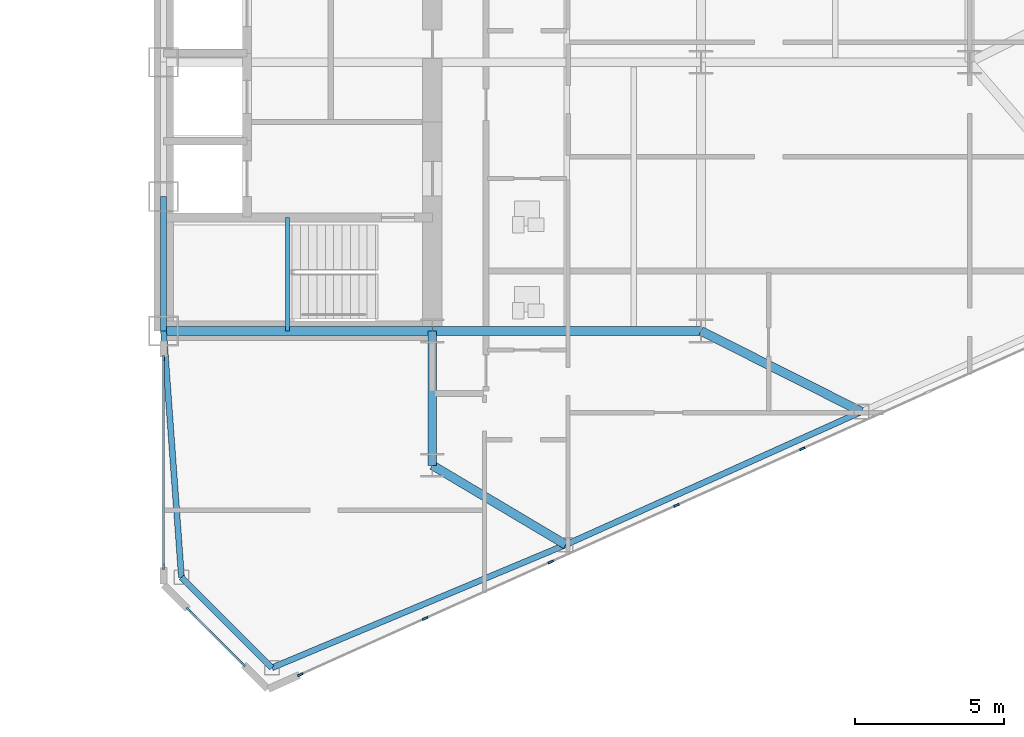
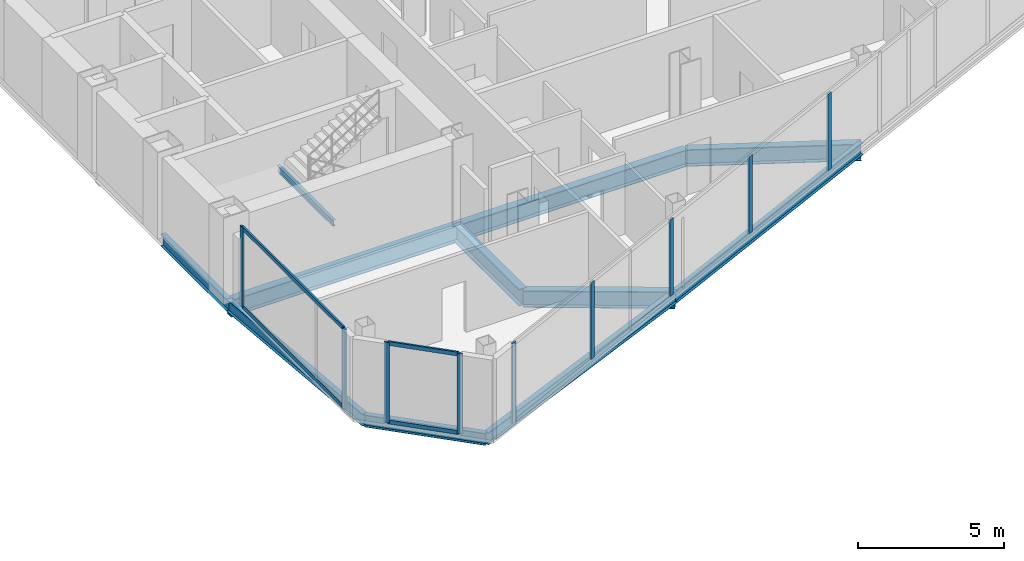
# One storey, part 10 of 27: 13 members, 11 beams, 3 elements without a shape of their own.
"""IFC4 building model written with IfcOpenShell, lengths in metres."""

from ifc_helpers import new_model, si_unit, direction, frame, origin, origin_2d, place, context, subcontext, project, spatial, rectangle, i_section, extrude, source, transform, mapped, material, layer, layer_set, material_profile, profile_set, type_object, type_shapes, element, aggregate, save


model = new_model("IFC4")

# Units and contexts
model_context = context("Model", 3, precision=1e-05, world=origin(), true_north=direction((0.0, 1.0)))
body_context = subcontext(model_context, "Body", "Model", "MODEL_VIEW")
ifc_project = project(units=[si_unit("LENGTHUNIT", "METRE"), si_unit("AREAUNIT", "SQUARE_METRE"), si_unit("VOLUMEUNIT", "CUBIC_METRE"), si_unit("PLANEANGLEUNIT", "RADIAN"), si_unit("MASSUNIT", "GRAM", prefix="KILO")], contexts=[model_context])

# Site, building, storey
site_placement = place(None, origin())
site = spatial("IfcSite", under=ifc_project, at=site_placement, CompositionType="ELEMENT")
building_placement = place(site_placement, origin())
building = spatial("IfcBuilding", under=site, at=building_placement, Name="Seokmaru Belvedere", CompositionType="ELEMENT")
storey_placement = place(building_placement, frame((0.0, 0.0, 83.699951171875)))
storey = spatial("IfcBuildingStorey", under=building, at=storey_placement, Name="L22", CompositionType="ELEMENT", Elevation=83.699951171875)

# Beams
ifc_material_1 = material(Name="Steel SM355 (355 MPa)", Category="steel")
ifc_material_profile_1 = material_profile(ifc_material_1, i_section(OverallWidth=0.199951171875, OverallDepth=0.5, WebThickness=0.010009765625, FlangeThickness=0.01611328125, at=origin_2d()), Name="H-500x200x10x16")
ifc_profile_set_1 = profile_set([ifc_material_profile_1], Name="Steel SM355 (355 MPa)")
beam_type_1 = type_object("IfcBeamType", Name="Perimeter Spandrel Beam H-500", PredefinedType="SPANDREL", material=ifc_profile_set_1)
shared_shape_1 = source(origin(), body_context, "Body", "SweptSolid", [
    extrude(i_section(OverallWidth=0.199951171875, OverallDepth=0.5, WebThickness=0.010009765625, FlangeThickness=0.01611328125, at=origin_2d()), origin(), (0.0, 0.0, 1.0), 4.5),
])
beam_1_placement = place(storey_placement, frame((27.5, -13.5, -0.469970703125), z_axis=(0.0, 1.0, 0.0), x_axis=(-1.0, 0.0, 0.0)))
element("IfcBeam", 1, at=beam_1_placement, inside=storey, type_object=beam_type_1, Name="L22 E Portal Spine Spandrel 1", PredefinedType="SPANDREL", context=body_context, shape_type="MappedRepresentation", body=[
    mapped(shared_shape_1, transform((0.0, 0.0, 0.0), scale=1.0)),
])
ifc_material_profile_2 = material_profile(ifc_material_1, i_section(OverallWidth=0.300048828125, OverallDepth=0.699951171875, WebThickness=0.012939453125, FlangeThickness=0.02392578125, at=origin_2d()), Name="H-700x300x13x24")
ifc_profile_set_2 = profile_set([ifc_material_profile_2], Name="Steel SM355 (355 MPa)")
beam_type_2 = type_object("IfcBeamType", Name="Primary Floor Girder H-700", PredefinedType="BEAM", material=ifc_profile_set_2)
shared_shape_2 = source(origin(), body_context, "Body", "SweptSolid", [
    extrude(i_section(OverallWidth=0.300048828125, OverallDepth=0.699951171875, WebThickness=0.012939453125, FlangeThickness=0.02392578125, at=origin_2d()), origin(), (0.0, 0.0, 1.0), 4.5),
])
beam_2_placement = place(storey_placement, frame((36.5, -18.0, -0.570068359375), z_axis=(0.0, 1.0, 0.0), x_axis=(-1.0, 0.0, 0.0)))
element("IfcBeam", 2, at=beam_2_placement, inside=storey, type_object=beam_type_2, Name="L22 E Core Shoulder Girder S", PredefinedType="BEAM", context=body_context, shape_type="MappedRepresentation", body=[
    mapped(shared_shape_2, transform((0.0, 0.0, 0.0), scale=1.0)),
])
shared_shape_3 = source(origin(), body_context, "Body", "SweptSolid", [
    extrude(i_section(OverallWidth=0.300048828125, OverallDepth=0.699951171875, WebThickness=0.012939453125, FlangeThickness=0.02392578125, at=origin_2d()), origin(), (0.0, 0.0, 1.0), 9.0),
])
for number, where, z_axis, x_axis, name in (
    (3, (27.5, -13.5, -0.570068359375), (1.0, 0.0, 0.0), (0.0, 1.0, 0.0), "L22 E Core Tie Girder 1"),
    (4, (36.5, -13.5, -0.570068359375), (1.0, 0.0, 0.0), (0.0, 1.0, 0.0), "L22 E Wing Primary Girder 1"),
):
    element("IfcBeam", number, at=place(storey_placement, frame(where, z_axis=z_axis, x_axis=x_axis)), inside=storey, type_object=beam_type_2, Name=name, PredefinedType="BEAM", context=body_context, shape_type="MappedRepresentation", body=[
        mapped(shared_shape_3, transform((0.0, 0.0, 0.0), scale=1.0)),
    ])
shared_shape_4 = source(origin(), body_context, "Body", "SweptSolid", [
    extrude(i_section(OverallWidth=0.199951171875, OverallDepth=0.5, WebThickness=0.010009765625, FlangeThickness=0.01611328125, at=origin_2d()), origin(), (0.0, 0.0, 1.0), 10.66943359375),
])
beam_3_placement = place(storey_placement, frame((31.13134765625, -24.782958984375, -0.469970703125), z_axis=(0.922375393128, 0.386294750355, 0.0), x_axis=(-0.386294750355, 0.922375393128, 0.0)))
element("IfcBeam", 5, at=beam_3_placement, inside=storey, type_object=beam_type_1, Name="L22 E Faceted Flank Spandrel S-1", PredefinedType="SPANDREL", context=body_context, shape_type="MappedRepresentation", body=[
    mapped(shared_shape_4, transform((0.0, 0.0, 0.0), scale=1.0)),
])
shared_shape_5 = source(origin(), body_context, "Body", "SweptSolid", [
    extrude(i_section(OverallWidth=0.199951171875, OverallDepth=0.5, WebThickness=0.010009765625, FlangeThickness=0.01611328125, at=origin_2d()), origin(), (0.0, 0.0, 1.0), 10.85888671875),
])
beam_4_placement = place(storey_placement, frame((40.97265625, -20.661376953125, -0.469970703125), z_axis=(0.911921505175, 0.410364677329, 0.0), x_axis=(-0.410364677329, 0.911921505175, 0.0)))
element("IfcBeam", 6, at=beam_4_placement, inside=storey, type_object=beam_type_1, Name="L22 E Faceted Flank Spandrel S-2", PredefinedType="SPANDREL", context=body_context, shape_type="MappedRepresentation", body=[
    mapped(shared_shape_5, transform((0.0, 0.0, 0.0), scale=1.0)),
])
shared_shape_6 = source(origin(), body_context, "Body", "SweptSolid", [
    extrude(i_section(OverallWidth=0.199951171875, OverallDepth=0.5, WebThickness=0.010009765625, FlangeThickness=0.01611328125, at=origin_2d()), origin(), (0.0, 0.0, 1.0), 4.287109375),
])
beam_5_placement = place(storey_placement, frame((31.13134765625, -24.782958984375, -0.469970703125), z_axis=(-0.707078306132, 0.707135255094, 0.0), x_axis=(-0.707135255094, -0.707078306132, 0.0)))
element("IfcBeam", 7, at=beam_5_placement, inside=storey, type_object=beam_type_1, Name="L22 E Shoulder Chamfer Spandrel S", PredefinedType="SPANDREL", context=body_context, shape_type="MappedRepresentation", body=[
    mapped(shared_shape_6, transform((0.0, 0.0, 0.0), scale=1.0)),
])
shared_shape_7 = source(origin(), body_context, "Body", "SweptSolid", [
    extrude(i_section(OverallWidth=0.199951171875, OverallDepth=0.5, WebThickness=0.010009765625, FlangeThickness=0.01611328125, at=origin_2d()), origin(), (0.0, 0.0, 1.0), 8.273193359375),
])
type_shapes(beam_type_1, [shared_shape_1, shared_shape_4, shared_shape_5, shared_shape_6, shared_shape_7])
beam_6_placement = place(storey_placement, frame((28.10009765625, -21.75146484375, -0.469970703125), z_axis=(-0.072534628348, 0.99736589459, 0.0), x_axis=(-0.99736589459, -0.072534628348, 0.0)))
element("IfcBeam", 8, at=beam_6_placement, inside=storey, type_object=beam_type_1, Name="L22 E Shoulder Spine Spandrel S", PredefinedType="SPANDREL", context=body_context, shape_type="MappedRepresentation", body=[
    mapped(shared_shape_7, transform((0.0, 0.0, 0.0), scale=1.0)),
])
shared_shape_8 = source(origin(), body_context, "Body", "SweptSolid", [
    extrude(i_section(OverallWidth=0.300048828125, OverallDepth=0.699951171875, WebThickness=0.012939453125, FlangeThickness=0.02392578125, at=origin_2d()), origin(), (0.0, 0.0, 1.0), 5.20458984375),
])
beam_7_placement = place(storey_placement, frame((40.97265625, -20.661376953125, -0.570068359375), z_axis=(-0.859370434188, 0.511353553662, 0.0), x_axis=(-0.511353553662, -0.859370434188, 0.0)))
element("IfcBeam", 9, at=beam_7_placement, inside=storey, type_object=beam_type_2, Name="L22 E Flank Radial Floor Girder S-1", PredefinedType="BEAM", context=body_context, shape_type="MappedRepresentation", body=[
    mapped(shared_shape_8, transform((0.0, 0.0, 0.0), scale=1.0)),
])
shared_shape_9 = source(origin(), body_context, "Body", "SweptSolid", [
    extrude(i_section(OverallWidth=0.300048828125, OverallDepth=0.699951171875, WebThickness=0.012939453125, FlangeThickness=0.02392578125, at=origin_2d()), origin(), (0.0, 0.0, 1.0), 6.017333984375),
])
type_shapes(beam_type_2, [shared_shape_2, shared_shape_3, shared_shape_8, shared_shape_9])
beam_8_placement = place(storey_placement, frame((50.875, -16.205322265625, -0.570068359375), z_axis=(-0.893239341975, 0.449581447512, 0.0), x_axis=(-0.449581447512, -0.893239341975, 0.0)))
element("IfcBeam", 10, at=beam_8_placement, inside=storey, type_object=beam_type_2, Name="L22 E Flank Radial Floor Girder S-2", PredefinedType="BEAM", context=body_context, shape_type="MappedRepresentation", body=[
    mapped(shared_shape_9, transform((0.0, 0.0, 0.0), scale=1.0)),
])

# Curtain wall, members
ifc_material_2 = material(Name="Bronze Triple Insulating Glass", Category="glass")
ifc_layer = layer(ifc_material_2, 0.195068359375)
ifc_layer_set = layer_set([ifc_layer], Name="Bronze Triple Insulating Glass")
curtain_wall_type = type_object("IfcCurtainWallType", Name="Lower-Mid Tapered Curtain Wall System CW-3", PredefinedType="NOTDEFINED", material=ifc_layer_set)
curtain_wall_1_placement = place(storey_placement, origin())
curtain_wall_1 = element("IfcCurtainWall", 11, at=curtain_wall_1_placement, inside=storey, type_object=curtain_wall_type, Name="L22 Curtain Wall ESP_1", PredefinedType="NOTDEFINED")
ifc_material_3 = material(Name="Anodised Bronze Aluminium", Category="aluminium")
ifc_material_profile_3 = material_profile(ifc_material_3, rectangle(XDim=0.070068359375, YDim=0.1650390625, at=origin_2d()), Name="CW-T-70x165")
ifc_profile_set_3 = profile_set([ifc_material_profile_3], Name="Anodised Bronze Aluminium")
member_type_1 = type_object("IfcMemberType", Name="Bronze Unitised Transom 70x165", PredefinedType="USERDEFINED", material=ifc_profile_set_3)
shared_shape_10 = source(origin(), body_context, "Body", "SweptSolid", [
    extrude(rectangle(XDim=0.070068359375, YDim=0.1650390625, at=origin_2d()), origin(), (0.0, 0.0, 1.0), 6.91015625),
])
member_1_placement = place(storey_placement, frame((27.5, -14.449951171875, 0.03515625), z_axis=(0.0, -1.0, 0.0), x_axis=(1.0, 0.0, 0.0)))
member_1 = element("IfcMember", 12, at=member_1_placement, type_object=member_type_1, Name="CW:L22:ESP_1 Continuous Transom 1", ObjectType="TRANSOM", PredefinedType="USERDEFINED", context=body_context, shape_type="MappedRepresentation", body=[
    mapped(shared_shape_10, transform((0.0, 0.0, 0.0), scale=1.0)),
])
member_2_placement = place(storey_placement, frame((27.5, -14.449951171875, 3.304931640625), z_axis=(0.0, -1.0, 0.0), x_axis=(1.0, 0.0, 0.0)))
member_2 = element("IfcMember", 13, at=member_2_placement, type_object=member_type_1, Name="CW:L22:ESP_1 Continuous Transom 2", ObjectType="TRANSOM", PredefinedType="USERDEFINED", context=body_context, shape_type="MappedRepresentation", body=[
    mapped(shared_shape_10, transform((0.0, 0.0, 0.0), scale=1.0)),
])

curtain_wall_2_placement = place(storey_placement, origin())
curtain_wall_2 = element("IfcCurtainWall", 14, at=curtain_wall_2_placement, inside=storey, type_object=curtain_wall_type, Name="L22 Curtain Wall EF6", PredefinedType="NOTDEFINED")
shared_shape_11 = source(origin(), body_context, "Body", "SweptSolid", [
    extrude(rectangle(XDim=0.070068359375, YDim=0.1650390625, at=origin_2d()), origin(), (0.0, 0.0, 1.0), 2.509521484375),
])
type_shapes(member_type_1, [shared_shape_10, shared_shape_11])
member_3_placement = place(storey_placement, frame((28.36279296875, -22.86279296875, 0.03515625), z_axis=(0.707106781187, -0.707106781187, 0.0), x_axis=(0.707106781187, 0.707106781187, 0.0)))
member_3 = element("IfcMember", 15, at=member_3_placement, type_object=member_type_1, Name="CW:L22:EF6 Continuous Transom 1", ObjectType="TRANSOM", PredefinedType="USERDEFINED", context=body_context, shape_type="MappedRepresentation", body=[
    mapped(shared_shape_11, transform((0.0, 0.0, 0.0), scale=1.0)),
])
member_4_placement = place(storey_placement, frame((28.36279296875, -22.86279296875, 3.304931640625), z_axis=(0.707106781187, -0.707106781187, 0.0), x_axis=(0.707106781187, 0.707106781187, 0.0)))
member_4 = element("IfcMember", 16, at=member_4_placement, type_object=member_type_1, Name="CW:L22:EF6 Continuous Transom 2", ObjectType="TRANSOM", PredefinedType="USERDEFINED", context=body_context, shape_type="MappedRepresentation", body=[
    mapped(shared_shape_11, transform((0.0, 0.0, 0.0), scale=1.0)),
])

# Curtain wall, member
curtain_wall_3_placement = place(storey_placement, origin())
curtain_wall_3 = element("IfcCurtainWall", 17, at=curtain_wall_3_placement, inside=storey, type_object=curtain_wall_type, Name="L22 Curtain Wall EF1", PredefinedType="NOTDEFINED")
ifc_material_profile_4 = material_profile(ifc_material_3, rectangle(XDim=0.070068359375, YDim=0.195068359375, at=origin_2d()), Name="CW-M-70x195")
ifc_profile_set_4 = profile_set([ifc_material_profile_4], Name="Anodised Bronze Aluminium")
member_type_2 = type_object("IfcMemberType", Name="Bronze Unitised Mullion 70x195", PredefinedType="MULLION", material=ifc_profile_set_4)
shared_shape_12 = source(origin(), body_context, "Body", "SweptSolid", [
    extrude(rectangle(XDim=0.070068359375, YDim=0.195068359375, at=origin_2d()), origin(), (0.0, 0.0, 1.0), 3.340087890625),
])
member_5_placement = place(storey_placement, frame((32.08056640625, -25.013671875, 0.0), z_axis=(0.0, 0.0, 1.0), x_axis=(-0.41036554765, 0.91192111353, 0.0)))
member_5 = element("IfcMember", 18, at=member_5_placement, type_object=member_type_2, Name="CW:L22:EF1 Mullion 1", PredefinedType="MULLION", context=body_context, shape_type="MappedRepresentation", body=[
    mapped(shared_shape_12, transform((0.0, 0.0, 0.0), scale=1.0)),
])

# Member
member_6_placement = place(storey_placement, frame((27.5, -14.4150390625, 0.0), z_axis=(0.0, 0.0, 1.0), x_axis=(1.0, 0.0, 0.0)))
member_6 = element("IfcMember", 19, at=member_6_placement, type_object=member_type_2, Name="CW:L22:ESP_1 Mullion 1", PredefinedType="MULLION", context=body_context, shape_type="MappedRepresentation", body=[
    mapped(shared_shape_12, transform((0.0, 0.0, 0.0), scale=1.0)),
])

member_7_placement = place(storey_placement, frame((27.5, -21.39501953125, 0.0), z_axis=(0.0, 0.0, 1.0), x_axis=(1.0, 0.0, 0.0)))
member_7 = element("IfcMember", 20, at=member_7_placement, type_object=member_type_2, Name="CW:L22:ESP_1 Mullion 2", PredefinedType="MULLION", context=body_context, shape_type="MappedRepresentation", body=[
    mapped(shared_shape_12, transform((0.0, 0.0, 0.0), scale=1.0)),
])

aggregate(curtain_wall_1, [member_6, member_7, member_1, member_2])

member_8_placement = place(storey_placement, frame((28.337890625, -22.837890625, 0.0), z_axis=(0.0, 0.0, 1.0), x_axis=(0.707106781187, 0.707106781187, 0.0)))
member_8 = element("IfcMember", 21, at=member_8_placement, type_object=member_type_2, Name="CW:L22:EF6 Mullion 1", PredefinedType="MULLION", context=body_context, shape_type="MappedRepresentation", body=[
    mapped(shared_shape_12, transform((0.0, 0.0, 0.0), scale=1.0)),
])

member_9_placement = place(storey_placement, frame((30.162109375, -24.662109375, 0.0), z_axis=(0.0, 0.0, 1.0), x_axis=(0.707106781187, 0.707106781187, 0.0)))
member_9 = element("IfcMember", 22, at=member_9_placement, type_object=member_type_2, Name="CW:L22:EF6 Mullion 2", PredefinedType="MULLION", context=body_context, shape_type="MappedRepresentation", body=[
    mapped(shared_shape_12, transform((0.0, 0.0, 0.0), scale=1.0)),
])

aggregate(curtain_wall_2, [member_8, member_9, member_3, member_4])

shared_shape_13 = source(origin(), body_context, "Body", "SweptSolid", [
    extrude(rectangle(XDim=0.070068359375, YDim=0.195068359375, at=origin_2d()), origin(), (0.0, 0.0, 1.0), 3.199951171875),
])
type_shapes(member_type_2, [shared_shape_12, shared_shape_13])
member_10_placement = place(storey_placement, frame((36.260009765625, -23.133056640625, 0.070068359375), z_axis=(0.0, 0.0, 1.0), x_axis=(-0.41036554765, 0.91192111353, 0.0)))
member_10 = element("IfcMember", 23, at=member_10_placement, type_object=member_type_2, Name="CW:L22:EF1 Mullion 2", PredefinedType="MULLION", context=body_context, shape_type="MappedRepresentation", body=[
    mapped(shared_shape_13, transform((0.0, 0.0, 0.0), scale=1.0)),
])

member_11_placement = place(storey_placement, frame((40.471435546875, -21.23779296875, 0.070068359375), z_axis=(0.0, 0.0, 1.0), x_axis=(-0.41036554765, 0.91192111353, 0.0)))
member_11 = element("IfcMember", 24, at=member_11_placement, type_object=member_type_2, Name="CW:L22:EF1 Mullion 3", PredefinedType="MULLION", context=body_context, shape_type="MappedRepresentation", body=[
    mapped(shared_shape_13, transform((0.0, 0.0, 0.0), scale=1.0)),
])

member_12_placement = place(storey_placement, frame((44.682861328125, -19.3427734375, 0.070068359375), z_axis=(0.0, 0.0, 1.0), x_axis=(-0.41036554765, 0.91192111353, 0.0)))
member_12 = element("IfcMember", 25, at=member_12_placement, type_object=member_type_2, Name="CW:L22:EF1 Mullion 4", PredefinedType="MULLION", context=body_context, shape_type="MappedRepresentation", body=[
    mapped(shared_shape_13, transform((0.0, 0.0, 0.0), scale=1.0)),
])

member_13_placement = place(storey_placement, frame((48.894287109375, -17.447509765625, 0.070068359375), z_axis=(0.0, 0.0, 1.0), x_axis=(-0.41036554765, 0.91192111353, 0.0)))
member_13 = element("IfcMember", 26, at=member_13_placement, type_object=member_type_2, Name="CW:L22:EF1 Mullion 5", PredefinedType="MULLION", context=body_context, shape_type="MappedRepresentation", body=[
    mapped(shared_shape_13, transform((0.0, 0.0, 0.0), scale=1.0)),
])

aggregate(curtain_wall_3, [member_5, member_10, member_11, member_12, member_13])

# Beam
ifc_material_profile_5 = material_profile(ifc_material_1, i_section(OverallWidth=0.125, OverallDepth=0.25, WebThickness=0.006103515625, FlangeThickness=0.009033203125, at=origin_2d()), Name="H-250x125x6x9")
ifc_profile_set_5 = profile_set([ifc_material_profile_5], Name="Steel SM355 (355 MPa)")
beam_type_3 = type_object("IfcBeamType", Name="Stair Mid-Landing Support Beam H-250", PredefinedType="JOIST", material=ifc_profile_set_5)
shared_shape_14 = source(origin(), body_context, "Body", "SweptSolid", [
    extrude(i_section(OverallWidth=0.125, OverallDepth=0.25, WebThickness=0.006103515625, FlangeThickness=0.009033203125, at=origin_2d()), origin(), (0.0, 0.0, 1.0), 3.800048828125),
])
type_shapes(beam_type_3, [shared_shape_14])
beam_9_placement = place(storey_placement, frame((31.64990234375, -13.5, 1.47509765625), z_axis=(0.0, 1.0, 0.0), x_axis=(-1.0, 0.0, 0.0)))
element("IfcBeam", 27, at=beam_9_placement, inside=storey, type_object=beam_type_3, Name="L22 Stair ST-E1 Mid-Landing Support Beam 1", PredefinedType="JOIST", context=body_context, shape_type="MappedRepresentation", body=[
    mapped(shared_shape_14, transform((0.0, 0.0, 0.0), scale=1.0)),
])

save(model, "model.ifc")
